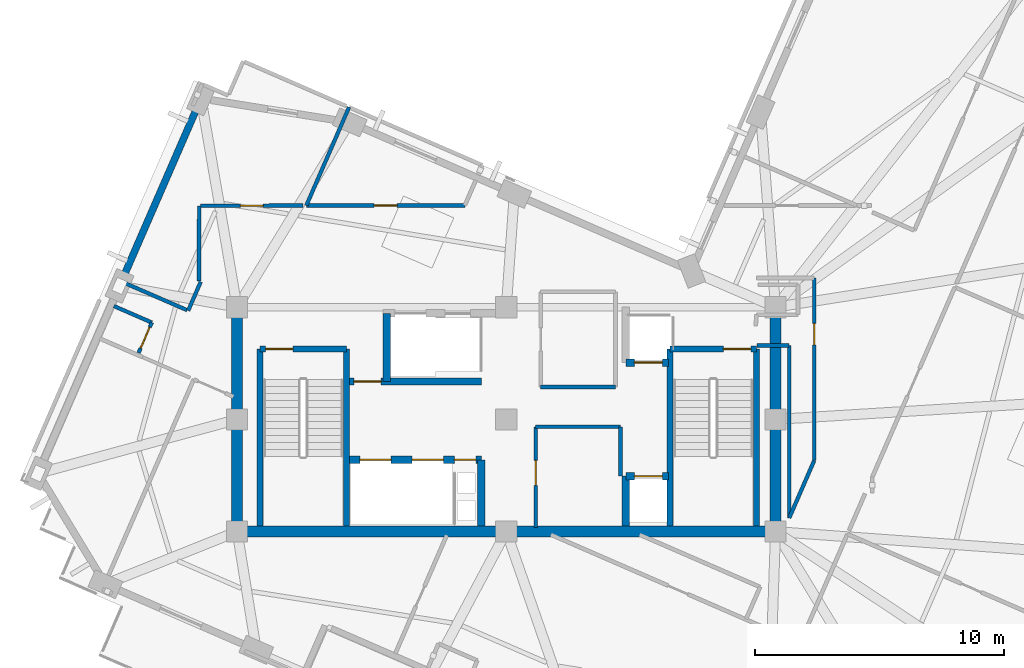
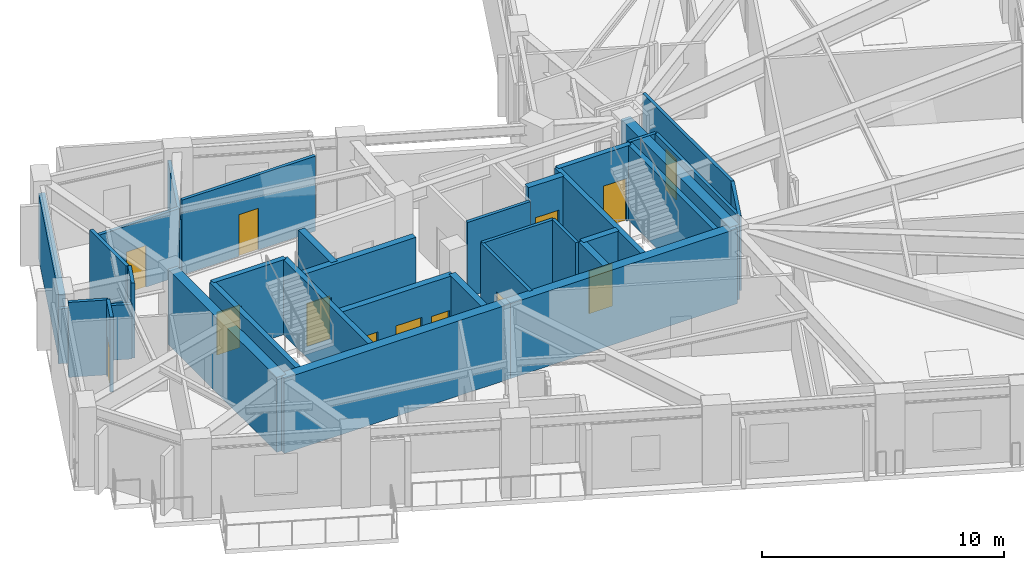
# One storey, part 5 of 12: 34 walls, 13 doors, 13 openings.
"""IFC4 building model written with IfcOpenShell, lengths in metres."""

from ifc_helpers import new_model, si_unit, direction, frame, frame_2d, origin, place, context, subcontext, project, spatial, rectangle, extrude, material, layer, layer_set, type_object, element, fill, save


model = new_model("IFC4")

# Units and contexts
model_context = context("Model", 3, precision=1e-05, world=origin(), true_north=direction((0.0, 1.0)))
body_context = subcontext(model_context, "Body", "Model", "MODEL_VIEW")
ifc_project = project(units=[si_unit("LENGTHUNIT", "METRE"), si_unit("AREAUNIT", "SQUARE_METRE"), si_unit("VOLUMEUNIT", "CUBIC_METRE"), si_unit("PLANEANGLEUNIT", "RADIAN"), si_unit("MASSUNIT", "GRAM", prefix="KILO")], contexts=[model_context])

# Site, building, storey
site_placement = place(None, origin())
site = spatial("IfcSite", under=ifc_project, at=site_placement, CompositionType="ELEMENT")
building_placement = place(site_placement, origin())
building = spatial("IfcBuilding", under=site, at=building_placement, Name="Gaonmaruhae Medical Tower", CompositionType="ELEMENT")
storey_placement = place(building_placement, frame((0.0, 0.0, 312.60009765625)))
storey = spatial("IfcBuildingStorey", under=building, at=storey_placement, Name="L75", CompositionType="ELEMENT", Elevation=312.60009765625)

# Walls
ifc_material_1 = material(Name="Concrete C50/60", Category="concrete")
ifc_layer_1 = layer(ifc_material_1, 0.449951171875)
ifc_layer_set_1 = layer_set([ifc_layer_1], Name="Concrete C50/60")
wall_type_1 = type_object("IfcWallType", Name="CW-450 Upper Core Shear Wall", PredefinedType="SHEAR", material=ifc_layer_set_1)
for number, where, z_axis, x_axis, name in (
    (1, (14.0, 7.800048828125, 0.0), (0.0, 0.0, 1.0), (1.0, 0.0, 0.0), "L75 Core Shear Wall CSW-S1"),
    (2, (24.800048828125, 7.800048828125, 0.0), (0.0, 0.0, 1.0), (1.0, 0.0, 0.0), "L75 Core Shear Wall CSW-S2"),
):
    element("IfcWall", number, at=place(storey_placement, frame(where, z_axis=z_axis, x_axis=x_axis)), inside=storey, type_object=wall_type_1, Name=name, PredefinedType="SHEAR", context=body_context, shape_type="SweptSolid", body=[
        extrude(rectangle(XDim=10.800048828125, YDim=0.449951171875, at=frame_2d((5.39990234375, 0.0))), origin(), (0.0, 0.0, 1.0), 3.77978515625),
    ])
for number, where, z_axis, x_axis, name in (
    (3, (35.60009765625, 7.800048828125, 0.0), (0.0, 0.0, 1.0), (0.0, 1.0, 0.0), "L75 Core Shear Wall CSW-E1"),
    (4, (14.0, 16.800048828125, 0.0), (0.0, 0.0, 1.0), (0.0, -1.0, 0.0), "L75 Core Shear Wall CSW-W1"),
):
    element("IfcWall", number, at=place(storey_placement, frame(where, z_axis=z_axis, x_axis=x_axis)), inside=storey, type_object=wall_type_1, Name=name, PredefinedType="SHEAR", context=body_context, shape_type="SweptSolid", body=[
        extrude(rectangle(XDim=9.0, YDim=0.449951171875, at=frame_2d((4.5, 0.0))), origin(), (0.0, 0.0, 1.0), 3.77978515625),
    ])
ifc_material_2 = material(Name="Precast concrete C45/55", Category="concrete")
ifc_layer_2 = layer(ifc_material_2, 0.280029296875)
ifc_layer_set_2 = layer_set([ifc_layer_2], Name="Precast concrete C45/55")
wall_type_2 = type_object("IfcWallType", Name="EW-280 Upper Precast Masonry-Frame Facade Wall", PredefinedType="SOLIDWALL", material=ifc_layer_set_2)
wall_1_placement = place(storey_placement, frame((9.44189453125, 18.01806640625, 0.0), z_axis=(0.0, 0.0, 1.0), x_axis=(0.398768305896, 0.917051709672, 0.0)))
element("IfcWall", 5, at=wall_1_placement, inside=storey, type_object=wall_type_2, Name="L75 Precast Masonry-Frame Wall N01-N02", PredefinedType="SOLIDWALL", context=body_context, shape_type="SweptSolid", body=[
    extrude(rectangle(XDim=7.405029296875, YDim=0.280029296875, at=frame_2d((3.70263671875, 0.0))), origin(), (0.0, 0.0, 1.0), 3.264892578125),
])

# Wall, opening, door
ifc_material_3 = material(Name="Gypsum board partition", Category="gypsum")
ifc_layer_3 = layer(ifc_material_3, 0.14990234375)
ifc_layer_set_3 = layer_set([ifc_layer_3], Name="Gypsum board partition")
wall_type_3 = type_object("IfcWallType", Name="PW-150 Rated Clinical Corridor Partition", PredefinedType="PARTITIONING", material=ifc_layer_set_3)
wall_2_placement = place(storey_placement, frame((25.97998046875, 7.9599609375, 0.0), z_axis=(0.0, 0.0, 1.0), x_axis=(0.0, 1.0, 0.0)))
wall_2 = element("IfcWall", 6, at=wall_2_placement, inside=storey, type_object=wall_type_3, Name="L75 Interior Partition L75-RCL1-1", PredefinedType="PARTITIONING", context=body_context, shape_type="SweptSolid", body=[
    extrude(rectangle(XDim=4.0400390625, YDim=0.14990234375, at=frame_2d((2.02001953125, 0.0))), origin(), (0.0, 0.0, 1.0), 3.77978515625),
])
opening_1_placement = place(wall_2_placement, frame((1.695068359375, 0.0, 0.0)))
opening_1 = element("IfcOpeningElement", 7, at=opening_1_placement, cuts=wall_2, Name="Opening CD-01", PredefinedType="OPENING", context=body_context, shape_type="SweptSolid", body=[
    extrude(rectangle(XDim=1.0, YDim=2.1201171875, at=frame_2d((0.5, 1.06005859375))), frame((0.0, 0.0849609375, 0.0), z_axis=(0.0, -1.0, 0.0), x_axis=(1.0, 0.0, 0.0)), (0.0, 0.0, 1.0), 0.169921875),
])
ifc_material_4 = material(Name="Antimicrobial laminate timber fire door", Category="wood")
door_type_1 = type_object("IfcDoorType", Name="CD-01 Consultation & Physician Office Door 1000x2120", OperationType="NOTDEFINED", PredefinedType="DOOR", material=ifc_material_4)
door_1_placement = place(opening_1_placement, origin())
door_1 = element("IfcDoor", 8, at=door_1_placement, inside=storey, type_object=door_type_1, Name="L75 Clinical Telemetry and Medication Room Door", OperationType="SINGLE_SWING_RIGHT", OverallHeight=2.1201171875, OverallWidth=1.0, PredefinedType="DOOR", context=body_context, shape_type="SweptSolid", body=[
    extrude(rectangle(XDim=1.0, YDim=2.1201171875, at=frame_2d((0.5, 1.06005859375))), frame((0.0, 0.02490234375, 0.0), z_axis=(0.0, -1.0, 0.0), x_axis=(1.0, 0.0, 0.0)), (0.0, 0.0, 1.0), 0.050048828125),
])
fill(opening_1, door_1)

# Walls
wall_3_placement = place(storey_placement, frame((25.97998046875, 12.0, 0.0), z_axis=(0.0, 0.0, 1.0), x_axis=(1.0, 0.0, 0.0)))
element("IfcWall", 9, at=wall_3_placement, inside=storey, type_object=wall_type_3, Name="L75 Interior Partition L75-RCL1-2", PredefinedType="PARTITIONING", context=body_context, shape_type="SweptSolid", body=[
    extrude(rectangle(XDim=3.39990234375, YDim=0.14990234375, at=frame_2d((1.699951171875, 0.0))), origin(), (0.0, 0.0, 1.0), 3.77978515625),
])
wall_4_placement = place(storey_placement, frame((29.3798828125, 12.0, 0.0), z_axis=(0.0, 0.0, 1.0), x_axis=(0.0, -1.0, 0.0)))
element("IfcWall", 10, at=wall_4_placement, inside=storey, type_object=wall_type_3, Name="L75 Interior Partition L75-RCL1-3", PredefinedType="PARTITIONING", context=body_context, shape_type="SweptSolid", body=[
    extrude(rectangle(XDim=1.97998046875, YDim=0.14990234375, at=frame_2d((0.989990234375, 0.0))), origin(), (0.0, 0.0, 1.0), 3.77978515625),
])
wall_5_placement = place(storey_placement, frame((29.179931640625, 13.60009765625, 0.0), z_axis=(0.0, 0.0, 1.0), x_axis=(-1.0, 0.0, 0.0)))
element("IfcWall", 11, at=wall_5_placement, inside=storey, type_object=wall_type_3, Name="L75 Interior Partition L75-RCL2-7", PredefinedType="PARTITIONING", context=body_context, shape_type="SweptSolid", body=[
    extrude(rectangle(XDim=3.0, YDim=0.14990234375, at=frame_2d((1.5, 0.0))), origin(), (0.0, 0.0, 1.0), 3.77978515625),
])

# Wall, opening, door
wall_6_placement = place(storey_placement, frame((37.14990234375, 17.969970703125, 0.0), z_axis=(0.0, 0.0, 1.0), x_axis=(0.0, -1.0, 0.0)))
wall_6 = element("IfcWall", 12, at=wall_6_placement, inside=storey, type_object=wall_type_3, Name="L75 Interior Partition L75-IE01-57", PredefinedType="PARTITIONING", context=body_context, shape_type="SweptSolid", body=[
    extrude(rectangle(XDim=7.324951171875, YDim=0.14990234375, at=frame_2d((3.66259765625, 0.0))), origin(), (0.0, 0.0, 1.0), 3.77978515625),
])
opening_2_placement = place(wall_6_placement, frame((1.815185546875, 0.0, 0.0)))
opening_2 = element("IfcOpeningElement", 13, at=opening_2_placement, cuts=wall_6, Name="Opening AD-01", PredefinedType="OPENING", context=body_context, shape_type="SweptSolid", body=[
    extrude(rectangle(XDim=0.860107421875, YDim=2.06005859375, at=frame_2d((0.43017578125, 1.030029296875))), frame((0.0, 0.0849609375, 0.0), z_axis=(0.0, -1.0, 0.0), x_axis=(1.0, 0.0, 0.0)), (0.0, 0.0, 1.0), 0.169921875),
])
ifc_material_5 = material(Name="Powder-coated steel access door", Category="steel")
door_type_2 = type_object("IfcDoorType", Name="AD-01 Riser & Closet Access Fire Door 860x2060", OperationType="NOTDEFINED", PredefinedType="DOOR", material=ifc_material_5)
door_2_placement = place(opening_2_placement, origin())
door_2 = element("IfcDoor", 14, at=door_2_placement, inside=storey, type_object=door_type_2, Name="L75 Central Clinical Nurse Station Sliding Door", OperationType="SLIDING_TO_LEFT", OverallHeight=2.06005859375, OverallWidth=0.860107421875, PredefinedType="DOOR", context=body_context, shape_type="SweptSolid", body=[
    extrude(rectangle(XDim=0.860107421875, YDim=2.06005859375, at=frame_2d((0.43017578125, 1.030029296875))), frame((0.0, 0.02490234375, 0.0), z_axis=(0.0, -1.0, 0.0), x_axis=(1.0, 0.0, 0.0)), (0.0, 0.0, 1.0), 0.050048828125),
])
fill(opening_2, door_2)

# Walls
wall_7_placement = place(storey_placement, frame((37.14990234375, 10.64501953125, 0.0), z_axis=(0.0, 0.0, 1.0), x_axis=(-0.398718992482, -0.917073151409, 0.0)))
element("IfcWall", 15, at=wall_7_placement, inside=storey, type_object=wall_type_3, Name="L75 Interior Partition L75-IE01-58", PredefinedType="PARTITIONING", context=body_context, shape_type="SweptSolid", body=[
    extrude(rectangle(XDim=2.508056640625, YDim=0.14990234375, at=frame_2d((1.25390625, 0.0))), origin(), (0.0, 0.0, 1.0), 3.77978515625),
])
wall_8_placement = place(storey_placement, frame((36.14990234375, 8.344970703125, 0.0), z_axis=(0.0, 0.0, 1.0), x_axis=(0.0, 1.0, 0.0)))
element("IfcWall", 16, at=wall_8_placement, inside=storey, type_object=wall_type_3, Name="L75 Interior Partition L75-IE01-59", PredefinedType="PARTITIONING", context=body_context, shape_type="SweptSolid", body=[
    extrude(rectangle(XDim=6.9150390625, YDim=0.14990234375, at=frame_2d((3.45751953125, 0.0))), origin(), (0.0, 0.0, 1.0), 3.77978515625),
])
wall_9_placement = place(storey_placement, frame((36.14990234375, 15.260009765625, 0.0), z_axis=(0.0, 0.0, 1.0), x_axis=(-1.0, 0.0, 0.0)))
element("IfcWall", 17, at=wall_9_placement, inside=storey, type_object=wall_type_3, Name="L75 Interior Partition L75-IE01-60", PredefinedType="PARTITIONING", context=body_context, shape_type="SweptSolid", body=[
    extrude(rectangle(XDim=1.2998046875, YDim=0.14990234375, at=frame_2d((0.64990234375, 0.0))), origin(), (0.0, 0.0, 1.0), 3.77978515625),
])

# Wall, opening, door
wall_10_placement = place(storey_placement, frame((23.134033203125, 20.8798828125, 0.0), z_axis=(0.0, 0.0, 1.0), x_axis=(-1.0, 0.0, 0.0)))
wall_10 = element("IfcWall", 18, at=wall_10_placement, inside=storey, type_object=wall_type_3, Name="L75 Interior Partition L75-IN02-77", PredefinedType="PARTITIONING", context=body_context, shape_type="SweptSolid", body=[
    extrude(rectangle(XDim=6.35693359375, YDim=0.14990234375, at=frame_2d((3.178466796875, 0.0))), origin(), (0.0, 0.0, 1.0), 3.77978515625),
])
opening_3_placement = place(wall_10_placement, frame((2.718505859375, 0.0, 0.0)))
opening_3 = element("IfcOpeningElement", 19, at=opening_3_placement, cuts=wall_10, Name="Opening UD-01", PredefinedType="OPENING", context=body_context, shape_type="SweptSolid", body=[
    extrude(rectangle(XDim=0.919921875, YDim=2.10009765625, at=frame_2d((0.4599609375, 1.050048828125))), frame((0.0, 0.0849609375, 0.0), z_axis=(0.0, -1.0, 0.0), x_axis=(1.0, 0.0, 0.0)), (0.0, 0.0, 1.0), 0.169921875),
])
ifc_material_6 = material(Name="Powder-coated steel utility door", Category="steel")
door_type_3 = type_object("IfcDoorType", Name="UD-01 Toilet, Utility & Housekeeping Door 920x2100", OperationType="NOTDEFINED", PredefinedType="DOOR", material=ifc_material_6)
door_3_placement = place(opening_3_placement, origin())
door_3 = element("IfcDoor", 20, at=door_3_placement, inside=storey, type_object=door_type_3, Name="L75 Ward Nutrition Pantry Door", OperationType="SINGLE_SWING_LEFT", OverallHeight=2.10009765625, OverallWidth=0.919921875, PredefinedType="DOOR", context=body_context, shape_type="SweptSolid", body=[
    extrude(rectangle(XDim=0.919921875, YDim=2.10009765625, at=frame_2d((0.4599609375, 1.050048828125))), frame((0.0, 0.02490234375, 0.0), z_axis=(0.0, -1.0, 0.0), x_axis=(1.0, 0.0, 0.0)), (0.0, 0.0, 1.0), 0.050048828125),
])
fill(opening_3, door_3)

# Walls
wall_11_placement = place(storey_placement, frame((16.777099609375, 20.8798828125, 0.0), z_axis=(0.0, 0.0, 1.0), x_axis=(0.398564265288, 0.917140407154, 0.0)))
element("IfcWall", 21, at=wall_11_placement, inside=storey, type_object=wall_type_3, Name="L75 Interior Partition L75-IN02-78", PredefinedType="PARTITIONING", context=body_context, shape_type="SweptSolid", body=[
    extrude(rectangle(XDim=4.302490234375, YDim=0.14990234375, at=frame_2d((2.1513671875, 0.0))), origin(), (0.0, 0.0, 1.0), 2.764892578125),
])
wall_12_placement = place(storey_placement, frame((12.47705078125, 20.868896484375, 0.0), z_axis=(0.0, 0.0, 1.0), x_axis=(-0.002345323109, -0.999997249726, 0.0)))
element("IfcWall", 22, at=wall_12_placement, inside=storey, type_object=wall_type_3, Name="L75 Interior Partition L75-IN03-79", PredefinedType="PARTITIONING", context=body_context, shape_type="SweptSolid", body=[
    extrude(rectangle(XDim=3.018798828125, YDim=0.14990234375, at=frame_2d((1.50927734375, 0.0))), origin(), (0.0, 0.0, 1.0), 3.77978515625),
])
wall_13_placement = place(storey_placement, frame((12.5400390625, 17.820068359375, 0.0), z_axis=(0.0, 0.0, 1.0), x_axis=(-0.398655347011, -0.917100820139, 0.0)))
element("IfcWall", 23, at=wall_13_placement, inside=storey, type_object=wall_type_3, Name="L75 Interior Partition L75-IN03-80", PredefinedType="PARTITIONING", context=body_context, shape_type="SweptSolid", body=[
    extrude(rectangle(XDim=1.261474609375, YDim=0.14990234375, at=frame_2d((0.630859375, 0.0))), origin(), (0.0, 0.0, 1.0), 3.77978515625),
])
wall_14_placement = place(storey_placement, frame((11.990966796875, 16.68310546875, 0.0), z_axis=(0.0, 0.0, 1.0), x_axis=(-0.917068787669, 0.398729029146, 0.0)))
element("IfcWall", 24, at=wall_14_placement, inside=storey, type_object=wall_type_3, Name="L75 Interior Partition L75-IN03-81", PredefinedType="PARTITIONING", context=body_context, shape_type="SweptSolid", body=[
    extrude(rectangle(XDim=3.0595703125, YDim=0.14990234375, at=frame_2d((1.52978515625, 0.0))), origin(), (0.0, 0.0, 1.0), 2.764892578125),
])

# Wall, opening, door
wall_15_placement = place(storey_placement, frame((16.64599609375, 20.8798828125, 0.0), z_axis=(0.0, 0.0, 1.0), x_axis=(-0.999996442777, -0.002667289427, 0.0)))
wall_15 = element("IfcWall", 25, at=wall_15_placement, inside=storey, type_object=wall_type_3, Name="L75 Interior Partition L75-IN03-86", PredefinedType="PARTITIONING", context=body_context, shape_type="SweptSolid", body=[
    extrude(rectangle(XDim=4.118896484375, YDim=0.14990234375, at=frame_2d((2.0595703125, 0.0))), origin(), (0.0, 0.0, 1.0), 3.414794921875),
])
opening_4_placement = place(wall_15_placement, frame((1.599609375, 0.0, 0.0)))
opening_4 = element("IfcOpeningElement", 26, at=opening_4_placement, cuts=wall_15, Name="Opening UD-01", PredefinedType="OPENING", context=body_context, shape_type="SweptSolid", body=[
    extrude(rectangle(XDim=0.919921875, YDim=2.10009765625, at=frame_2d((0.4599609375, 1.050048828125))), frame((0.0, 0.0849609375, 0.0), z_axis=(0.0, -1.0, 0.0), x_axis=(1.0, 0.0, 0.0)), (0.0, 0.0, 1.0), 0.169921875),
])
door_4_placement = place(opening_4_placement, origin())
door_4 = element("IfcDoor", 27, at=door_4_placement, inside=storey, type_object=door_type_3, Name="L75 Public Visitor Toilet Door", OperationType="SINGLE_SWING_LEFT", OverallHeight=2.10009765625, OverallWidth=0.919921875, PredefinedType="DOOR", context=body_context, shape_type="SweptSolid", body=[
    extrude(rectangle(XDim=0.919921875, YDim=2.10009765625, at=frame_2d((0.4599609375, 1.050048828125))), frame((0.0, 0.02490234375, 0.0), z_axis=(0.0, -1.0, 0.0), x_axis=(1.0, 0.0, 0.0)), (0.0, 0.0, 1.0), 0.050048828125),
])
fill(opening_4, door_4)

# Wall
wall_16_placement = place(storey_placement, frame((9.05810546875, 16.846923828125, 0.0), z_axis=(0.0, 0.0, 1.0), x_axis=(0.916856565806, -0.399216780382, 0.0)))
element("IfcWall", 28, at=wall_16_placement, inside=storey, type_object=wall_type_3, Name="L75 Interior Partition L75-RM02-90", PredefinedType="PARTITIONING", context=body_context, shape_type="SweptSolid", body=[
    extrude(rectangle(XDim=1.655517578125, YDim=0.14990234375, at=frame_2d((0.82763671875, 0.0))), origin(), (0.0, 0.0, 1.0), 3.77978515625),
])

# Wall, opening, door
wall_17_placement = place(storey_placement, frame((10.575927734375, 16.18603515625, 0.0), z_axis=(0.0, 0.0, 1.0), x_axis=(-0.3981603712, -0.917315822825, 0.0)))
wall_17 = element("IfcWall", 29, at=wall_17_placement, inside=storey, type_object=wall_type_3, Name="L75 Interior Partition L75-RM02-91", PredefinedType="PARTITIONING", context=body_context, shape_type="SweptSolid", body=[
    extrude(rectangle(XDim=1.32568359375, YDim=0.14990234375, at=frame_2d((0.662841796875, 0.0))), origin(), (0.0, 0.0, 1.0), 3.77978515625),
])
opening_5_placement = place(wall_17_placement, frame((0.202880859375, 0.0, 0.0)))
opening_5 = element("IfcOpeningElement", 30, at=opening_5_placement, cuts=wall_17, Name="Opening UD-01", PredefinedType="OPENING", context=body_context, shape_type="SweptSolid", body=[
    extrude(rectangle(XDim=0.919921875, YDim=2.10009765625, at=frame_2d((0.4599609375, 1.050048828125))), frame((0.0, 0.0849609375, 0.0), z_axis=(0.0, -1.0, 0.0), x_axis=(1.0, 0.0, 0.0)), (0.0, 0.0, 1.0), 0.169921875),
])
door_5_placement = place(opening_5_placement, origin())
door_5 = element("IfcDoor", 31, at=door_5_placement, inside=storey, type_object=door_type_3, Name="L75 Care Team Clinical Charting Office Door", OperationType="SINGLE_SWING_RIGHT", OverallHeight=2.10009765625, OverallWidth=0.919921875, PredefinedType="DOOR", context=body_context, shape_type="SweptSolid", body=[
    extrude(rectangle(XDim=0.919921875, YDim=2.10009765625, at=frame_2d((0.4599609375, 1.050048828125))), frame((0.0, 0.02490234375, 0.0), z_axis=(0.0, -1.0, 0.0), x_axis=(1.0, 0.0, 0.0)), (0.0, 0.0, 1.0), 0.050048828125),
])
fill(opening_5, door_5)

ifc_layer_4 = layer(ifc_material_1, 0.239990234375)
ifc_layer_set_4 = layer_set([ifc_layer_4], Name="Concrete C50/60")
wall_type_4 = type_object("IfcWallType", Name="SW-240 Dogleg Stair Tight Shaft Wall", PredefinedType="SOLIDWALL", material=ifc_layer_set_4)
wall_18_placement = place(storey_placement, frame((14.919921875, 15.1201171875, 0.0), z_axis=(0.0, 0.0, 1.0), x_axis=(1.0, 0.0, 0.0)))
wall_18 = element("IfcWall", 32, at=wall_18_placement, inside=storey, type_object=wall_type_4, Name="L75 ST-01 Stair Shaft Wall SHW-ST-01-N", PredefinedType="SOLIDWALL", context=body_context, shape_type="SweptSolid", body=[
    extrude(rectangle(XDim=3.4599609375, YDim=0.239990234375, at=frame_2d((1.72998046875, 0.0))), origin(), (0.0, 0.0, 1.0), 3.77978515625),
])
opening_6_placement = place(wall_18_placement, frame((0.219970703125, 0.0, 0.0)))
opening_6 = element("IfcOpeningElement", 33, at=opening_6_placement, cuts=wall_18, Name="Opening FD-01", PredefinedType="OPENING", context=body_context, shape_type="SweptSolid", body=[
    extrude(rectangle(XDim=1.10009765625, YDim=2.14990234375, at=frame_2d((0.550048828125, 1.074951171875))), frame((0.0, 0.1298828125, 0.0), z_axis=(0.0, -1.0, 0.0), x_axis=(1.0, 0.0, 0.0)), (0.0, 0.0, 1.0), 0.260009765625),
])
ifc_material_7 = material(Name="Powder-coated steel fire door", Category="steel")
door_type_4 = type_object("IfcDoorType", Name="FD-01 Escape Stair Protected Fire Door 1100x2150", OperationType="NOTDEFINED", PredefinedType="DOOR", material=ifc_material_7)
door_6_placement = place(opening_6_placement, origin())
door_6 = element("IfcDoor", 34, at=door_6_placement, inside=storey, type_object=door_type_4, Name="L75 ST-01 Protected Escape Stair Door", OperationType="SINGLE_SWING_RIGHT", OverallHeight=2.14990234375, OverallWidth=1.10009765625, PredefinedType="DOOR", context=body_context, shape_type="SweptSolid", body=[
    extrude(rectangle(XDim=1.10009765625, YDim=2.14990234375, at=frame_2d((0.550048828125, 1.074951171875))), frame((0.0, 0.02490234375, 0.0), z_axis=(0.0, -1.0, 0.0), x_axis=(1.0, 0.0, 0.0)), (0.0, 0.0, 1.0), 0.050048828125),
])
fill(opening_6, door_6)

# Walls
for number, where, z_axis, x_axis, name in (
    (35, (18.3798828125, 15.1201171875, 0.0), (0.0, 0.0, 1.0), (0.0, -1.0, 0.0), "L75 ST-01 Stair Shaft Wall SHW-ST-01-E"),
    (36, (14.919921875, 8.02490234375, 0.0), (0.0, 0.0, 1.0), (0.0, 1.0, 0.0), "L75 ST-01 Stair Shaft Wall SHW-ST-01-W"),
):
    element("IfcWall", number, at=place(storey_placement, frame(where, z_axis=z_axis, x_axis=x_axis)), inside=storey, type_object=wall_type_4, Name=name, PredefinedType="SOLIDWALL", context=body_context, shape_type="SweptSolid", body=[
        extrude(rectangle(XDim=7.09521484375, YDim=0.239990234375, at=frame_2d((3.547607421875, 0.0))), origin(), (0.0, 0.0, 1.0), 3.77978515625),
    ])

# Wall, opening, door
wall_19_placement = place(storey_placement, frame((31.3701171875, 15.1201171875, 0.0), z_axis=(0.0, 0.0, 1.0), x_axis=(1.0, 0.0, 0.0)))
wall_19 = element("IfcWall", 37, at=wall_19_placement, inside=storey, type_object=wall_type_4, Name="L75 ST-02 Stair Shaft Wall SHW-ST-02-N", PredefinedType="SOLIDWALL", context=body_context, shape_type="SweptSolid", body=[
    extrude(rectangle(XDim=3.4599609375, YDim=0.239990234375, at=frame_2d((1.72998046875, 0.0))), origin(), (0.0, 0.0, 1.0), 3.77978515625),
])
opening_7_placement = place(wall_19_placement, frame((2.139892578125, 0.0, 0.0)))
opening_7 = element("IfcOpeningElement", 38, at=opening_7_placement, cuts=wall_19, Name="Opening FD-01", PredefinedType="OPENING", context=body_context, shape_type="SweptSolid", body=[
    extrude(rectangle(XDim=1.10009765625, YDim=2.14990234375, at=frame_2d((0.550048828125, 1.074951171875))), frame((0.0, 0.1298828125, 0.0), z_axis=(0.0, -1.0, 0.0), x_axis=(1.0, 0.0, 0.0)), (0.0, 0.0, 1.0), 0.260009765625),
])
door_7_placement = place(opening_7_placement, origin())
door_7 = element("IfcDoor", 39, at=door_7_placement, inside=storey, type_object=door_type_4, Name="L75 ST-02 Protected Escape Stair Door", OperationType="SINGLE_SWING_LEFT", OverallHeight=2.14990234375, OverallWidth=1.10009765625, PredefinedType="DOOR", context=body_context, shape_type="SweptSolid", body=[
    extrude(rectangle(XDim=1.10009765625, YDim=2.14990234375, at=frame_2d((0.550048828125, 1.074951171875))), frame((0.0, 0.02490234375, 0.0), z_axis=(0.0, -1.0, 0.0), x_axis=(1.0, 0.0, 0.0)), (0.0, 0.0, 1.0), 0.050048828125),
])
fill(opening_7, door_7)

# Walls
for number, where, z_axis, x_axis, name in (
    (40, (34.830078125, 15.1201171875, 0.0), (0.0, 0.0, 1.0), (0.0, -1.0, 0.0), "L75 ST-02 Stair Shaft Wall SHW-ST-02-E"),
    (41, (31.3701171875, 8.02490234375, 0.0), (0.0, 0.0, 1.0), (0.0, 1.0, 0.0), "L75 ST-02 Stair Shaft Wall SHW-ST-02-W"),
):
    element("IfcWall", number, at=place(storey_placement, frame(where, z_axis=z_axis, x_axis=x_axis)), inside=storey, type_object=wall_type_4, Name=name, PredefinedType="SOLIDWALL", context=body_context, shape_type="SweptSolid", body=[
        extrude(rectangle(XDim=7.09521484375, YDim=0.239990234375, at=frame_2d((3.547607421875, 0.0))), origin(), (0.0, 0.0, 1.0), 3.77978515625),
    ])

# Wall, openings, doors
ifc_layer_5 = layer(ifc_material_1, 0.300048828125)
ifc_layer_set_5 = layer_set([ifc_layer_5], Name="Concrete C50/60")
wall_type_5 = type_object("IfcWallType", Name="SW-300 Stair & Lift Hoistway Shaft Wall", PredefinedType="SOLIDWALL", material=ifc_layer_set_5)
wall_20_placement = place(storey_placement, frame((18.5, 10.679931640625, 0.0), z_axis=(0.0, 0.0, 1.0), x_axis=(1.0, 0.0, 0.0)))
wall_20 = element("IfcWall", 42, at=wall_20_placement, inside=storey, type_object=wall_type_5, Name="L75 Shaft Enclosure Wall SHW-FFN", PredefinedType="SOLIDWALL", context=body_context, shape_type="SweptSolid", body=[
    extrude(rectangle(XDim=5.300048828125, YDim=0.300048828125, at=frame_2d((2.64990234375, 0.0))), origin(), (0.0, 0.0, 1.0), 3.77978515625),
])
opening_8_placement = place(wall_20_placement, frame((4.219970703125, 0.0, 0.0)))
opening_8 = element("IfcOpeningElement", 43, at=opening_8_placement, cuts=wall_20, Name="Opening AD-01", PredefinedType="OPENING", context=body_context, shape_type="SweptSolid", body=[
    extrude(rectangle(XDim=0.860107421875, YDim=2.06005859375, at=frame_2d((0.43017578125, 1.030029296875))), frame((0.0, 0.16015625, 0.0), z_axis=(0.0, -1.0, 0.0), x_axis=(1.0, 0.0, 0.0)), (0.0, 0.0, 1.0), 0.320068359375),
])
opening_9_placement = place(wall_20_placement, frame((0.425048828125, 0.0, 0.0)))
opening_9 = element("IfcOpeningElement", 44, at=opening_9_placement, cuts=wall_20, Name="Opening LD-F1", PredefinedType="OPENING", context=body_context, shape_type="SweptSolid", body=[
    extrude(rectangle(XDim=1.25, YDim=2.179931640625, at=frame_2d((0.625, 1.08984375))), frame((0.0, 0.16015625, 0.0), z_axis=(0.0, -1.0, 0.0), x_axis=(1.0, 0.0, 0.0)), (0.0, 0.0, 1.0), 0.320068359375),
])
opening_10_placement = place(wall_20_placement, frame((2.52490234375, 0.0, 0.0)))
opening_10 = element("IfcOpeningElement", 45, at=opening_10_placement, cuts=wall_20, Name="Opening LD-F1", PredefinedType="OPENING", context=body_context, shape_type="SweptSolid", body=[
    extrude(rectangle(XDim=1.25, YDim=2.179931640625, at=frame_2d((0.625, 1.08984375))), frame((0.0, 0.16015625, 0.0), z_axis=(0.0, -1.0, 0.0), x_axis=(1.0, 0.0, 0.0)), (0.0, 0.0, 1.0), 0.320068359375),
])
door_8_placement = place(opening_8_placement, origin())
door_8 = element("IfcDoor", 46, at=door_8_placement, inside=storey, type_object=door_type_2, Name="L75 Medical Gas and MEP Riser Access Door", OperationType="SINGLE_SWING_RIGHT", OverallHeight=2.06005859375, OverallWidth=0.860107421875, PredefinedType="DOOR", context=body_context, shape_type="SweptSolid", body=[
    extrude(rectangle(XDim=0.860107421875, YDim=2.06005859375, at=frame_2d((0.43017578125, 1.030029296875))), frame((0.0, 0.02490234375, 0.0), z_axis=(0.0, -1.0, 0.0), x_axis=(1.0, 0.0, 0.0)), (0.0, 0.0, 1.0), 0.050048828125),
])
fill(opening_8, door_8)
ifc_material_8 = material(Name="Brushed stainless steel 316L landing door", Category="steel")
door_type_5 = type_object("IfcDoorType", Name="LD-F1 Firefighting & Bed Lift Sliding Landing Door 1250x2180", OperationType="NOTDEFINED", PredefinedType="DOOR", material=ifc_material_8)
door_9_placement = place(opening_9_placement, origin())
door_9 = element("IfcDoor", 47, at=door_9_placement, inside=storey, type_object=door_type_5, Name="L75 Firefighting Lift Landing Door FFL-01", OperationType="DOUBLE_DOOR_SLIDING", OverallHeight=2.179931640625, OverallWidth=1.25, PredefinedType="DOOR", context=body_context, shape_type="SweptSolid", body=[
    extrude(rectangle(XDim=1.25, YDim=2.179931640625, at=frame_2d((0.625, 1.08984375))), frame((0.0, 0.02490234375, 0.0), z_axis=(0.0, -1.0, 0.0), x_axis=(1.0, 0.0, 0.0)), (0.0, 0.0, 1.0), 0.050048828125),
])
fill(opening_9, door_9)
door_10_placement = place(opening_10_placement, origin())
door_10 = element("IfcDoor", 48, at=door_10_placement, inside=storey, type_object=door_type_5, Name="L75 Firefighting Lift Landing Door FFL-02", OperationType="DOUBLE_DOOR_SLIDING", OverallHeight=2.179931640625, OverallWidth=1.25, PredefinedType="DOOR", context=body_context, shape_type="SweptSolid", body=[
    extrude(rectangle(XDim=1.25, YDim=2.179931640625, at=frame_2d((0.625, 1.08984375))), frame((0.0, 0.02490234375, 0.0), z_axis=(0.0, -1.0, 0.0), x_axis=(1.0, 0.0, 0.0)), (0.0, 0.0, 1.0), 0.050048828125),
])
fill(opening_10, door_10)

# Wall, opening, door
wall_21_placement = place(storey_placement, frame((18.5, 13.820068359375, 0.0), z_axis=(0.0, 0.0, 1.0), x_axis=(1.0, 0.0, 0.0)))
wall_21 = element("IfcWall", 49, at=wall_21_placement, inside=storey, type_object=wall_type_5, Name="L75 Shaft Enclosure Wall SHW-FFL", PredefinedType="SOLIDWALL", context=body_context, shape_type="SweptSolid", body=[
    extrude(rectangle(XDim=5.300048828125, YDim=0.300048828125, at=frame_2d((2.64990234375, 0.0))), origin(), (0.0, 0.0, 1.0), 3.77978515625),
])
opening_11_placement = place(wall_21_placement, frame((0.179931640625, 0.0, 0.0)))
opening_11 = element("IfcOpeningElement", 50, at=opening_11_placement, cuts=wall_21, Name="Opening FD-01", PredefinedType="OPENING", context=body_context, shape_type="SweptSolid", body=[
    extrude(rectangle(XDim=1.10009765625, YDim=2.14990234375, at=frame_2d((0.550048828125, 1.074951171875))), frame((0.0, 0.16015625, 0.0), z_axis=(0.0, -1.0, 0.0), x_axis=(1.0, 0.0, 0.0)), (0.0, 0.0, 1.0), 0.320068359375),
])
door_11_placement = place(opening_11_placement, origin())
door_11 = element("IfcDoor", 51, at=door_11_placement, inside=storey, type_object=door_type_4, Name="L75 Firefighting Lobby Smoke Door", OperationType="SINGLE_SWING_LEFT", OverallHeight=2.14990234375, OverallWidth=1.10009765625, PredefinedType="DOOR", context=body_context, shape_type="SweptSolid", body=[
    extrude(rectangle(XDim=1.10009765625, YDim=2.14990234375, at=frame_2d((0.550048828125, 1.074951171875))), frame((0.0, 0.02490234375, 0.0), z_axis=(0.0, -1.0, 0.0), x_axis=(1.0, 0.0, 0.0)), (0.0, 0.0, 1.0), 0.050048828125),
])
fill(opening_11, door_11)

# Walls
wall_22_placement = place(storey_placement, frame((23.800048828125, 8.02490234375, 0.0), z_axis=(0.0, 0.0, 1.0), x_axis=(0.0, 1.0, 0.0)))
element("IfcWall", 52, at=wall_22_placement, inside=storey, type_object=wall_type_5, Name="L75 Shaft Enclosure Wall SHW-FFE", PredefinedType="SOLIDWALL", context=body_context, shape_type="SweptSolid", body=[
    extrude(rectangle(XDim=2.655029296875, YDim=0.300048828125, at=frame_2d((1.32763671875, 0.0))), origin(), (0.0, 0.0, 1.0), 3.77978515625),
])
wall_23_placement = place(storey_placement, frame((20.0, 13.820068359375, 0.0), z_axis=(0.0, 0.0, 1.0), x_axis=(0.0, 1.0, 0.0)))
element("IfcWall", 53, at=wall_23_placement, inside=storey, type_object=wall_type_5, Name="L75 Shaft Enclosure Wall SHW-BDW", PredefinedType="SOLIDWALL", context=body_context, shape_type="SweptSolid", body=[
    extrude(rectangle(XDim=2.72998046875, YDim=0.300048828125, at=frame_2d((1.364990234375, 0.0))), origin(), (0.0, 0.0, 1.0), 3.77978515625),
])

# Wall, opening, door
wall_24_placement = place(storey_placement, frame((29.60009765625, 10.02001953125, 0.0), z_axis=(0.0, 0.0, 1.0), x_axis=(1.0, 0.0, 0.0)))
wall_24 = element("IfcWall", 54, at=wall_24_placement, inside=storey, type_object=wall_type_5, Name="L75 Shaft Enclosure Wall SHW-PLS", PredefinedType="SOLIDWALL", context=body_context, shape_type="SweptSolid", body=[
    extrude(rectangle(XDim=1.699951171875, YDim=0.300048828125, at=frame_2d((0.85009765625, 0.0))), origin(), (0.0, 0.0, 1.0), 3.77978515625),
])
opening_12_placement = place(wall_24_placement, frame((0.340087890625, 0.0, 0.0)))
opening_12 = element("IfcOpeningElement", 55, at=opening_12_placement, cuts=wall_24, Name="Opening LD-P1", PredefinedType="OPENING", context=body_context, shape_type="SweptSolid", body=[
    extrude(rectangle(XDim=1.1201171875, YDim=2.14990234375, at=frame_2d((0.56005859375, 1.074951171875))), frame((0.0, 0.16015625, 0.0), z_axis=(0.0, -1.0, 0.0), x_axis=(1.0, 0.0, 0.0)), (0.0, 0.0, 1.0), 0.320068359375),
])
ifc_material_9 = material(Name="Brushed stainless steel 304 landing door", Category="steel")
door_type_6 = type_object("IfcDoorType", Name="LD-P1 Passenger Lift Sliding Landing Door 1120x2150", OperationType="NOTDEFINED", PredefinedType="DOOR", material=ifc_material_9)
door_12_placement = place(opening_12_placement, origin())
door_12 = element("IfcDoor", 56, at=door_12_placement, inside=storey, type_object=door_type_6, Name="L75 Passenger Lift Landing Door PL-H1", OperationType="DOUBLE_DOOR_SLIDING", OverallHeight=2.14990234375, OverallWidth=1.1201171875, PredefinedType="DOOR", context=body_context, shape_type="SweptSolid", body=[
    extrude(rectangle(XDim=1.1201171875, YDim=2.14990234375, at=frame_2d((0.56005859375, 1.074951171875))), frame((0.0, 0.02490234375, 0.0), z_axis=(0.0, -1.0, 0.0), x_axis=(1.0, 0.0, 0.0)), (0.0, 0.0, 1.0), 0.050048828125),
])
fill(opening_12, door_12)

# Wall
wall_25_placement = place(storey_placement, frame((29.60009765625, 8.02490234375, 0.0), z_axis=(0.0, 0.0, 1.0), x_axis=(0.0, 1.0, 0.0)))
element("IfcWall", 57, at=wall_25_placement, inside=storey, type_object=wall_type_5, Name="L75 Shaft Enclosure Wall SHW-PLD1", PredefinedType="SOLIDWALL", context=body_context, shape_type="SweptSolid", body=[
    extrude(rectangle(XDim=1.9951171875, YDim=0.300048828125, at=frame_2d((0.99755859375, 0.0))), origin(), (0.0, 0.0, 1.0), 3.77978515625),
])

# Wall, opening, door
wall_26_placement = place(storey_placement, frame((29.60009765625, 14.580078125, 0.0), z_axis=(0.0, 0.0, 1.0), x_axis=(1.0, 0.0, 0.0)))
wall_26 = element("IfcWall", 58, at=wall_26_placement, inside=storey, type_object=wall_type_5, Name="L75 Shaft Enclosure Wall SHW-PLN", PredefinedType="SOLIDWALL", context=body_context, shape_type="SweptSolid", body=[
    extrude(rectangle(XDim=1.699951171875, YDim=0.300048828125, at=frame_2d((0.85009765625, 0.0))), origin(), (0.0, 0.0, 1.0), 3.77978515625),
])
opening_13_placement = place(wall_26_placement, frame((0.340087890625, 0.0, 0.0)))
opening_13 = element("IfcOpeningElement", 59, at=opening_13_placement, cuts=wall_26, Name="Opening LD-P1", PredefinedType="OPENING", context=body_context, shape_type="SweptSolid", body=[
    extrude(rectangle(XDim=1.1201171875, YDim=2.14990234375, at=frame_2d((0.56005859375, 1.074951171875))), frame((0.0, 0.16015625, 0.0), z_axis=(0.0, -1.0, 0.0), x_axis=(1.0, 0.0, 0.0)), (0.0, 0.0, 1.0), 0.320068359375),
])
door_13_placement = place(opening_13_placement, origin())
door_13 = element("IfcDoor", 60, at=door_13_placement, inside=storey, type_object=door_type_6, Name="L75 Passenger Lift Landing Door PL-H2", OperationType="DOUBLE_DOOR_SLIDING", OverallHeight=2.14990234375, OverallWidth=1.1201171875, PredefinedType="DOOR", context=body_context, shape_type="SweptSolid", body=[
    extrude(rectangle(XDim=1.1201171875, YDim=2.14990234375, at=frame_2d((0.56005859375, 1.074951171875))), frame((0.0, 0.02490234375, 0.0), z_axis=(0.0, -1.0, 0.0), x_axis=(1.0, 0.0, 0.0)), (0.0, 0.0, 1.0), 0.050048828125),
])
fill(opening_13, door_13)

save(model, "model.ifc")
